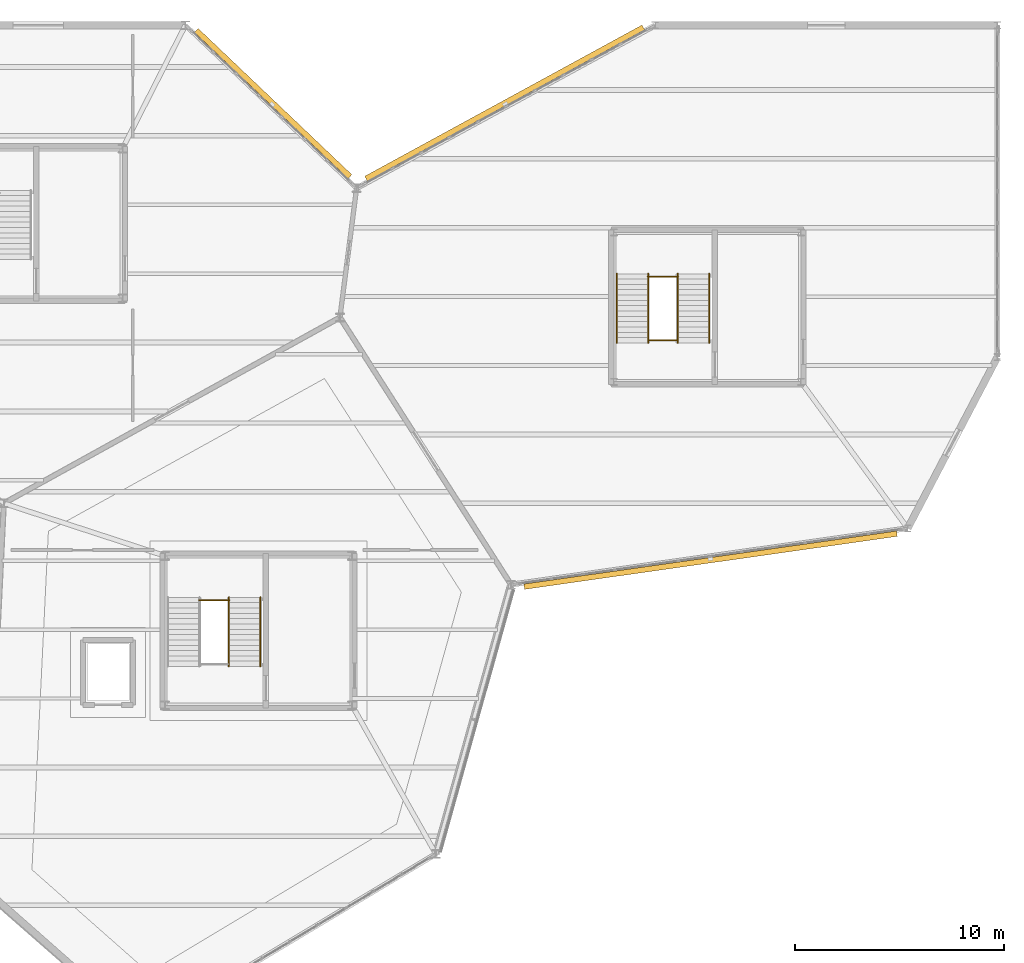
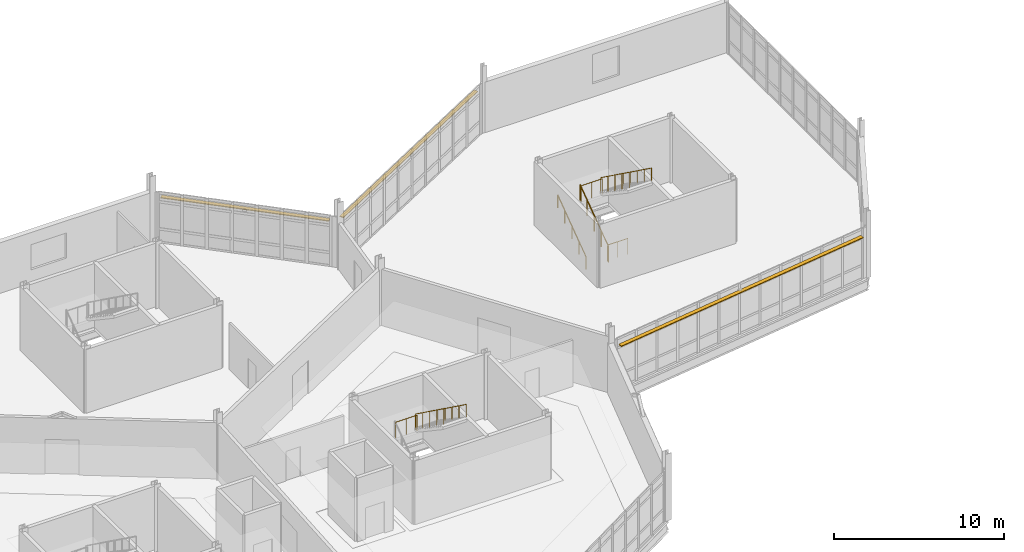
# One storey, part 134 of 134: 9 railings, 3 shading devices.
"""IFC4 building model written with IfcOpenShell, lengths in metres."""

import ifcopenshell
import ifcopenshell.guid

model = None  # the IFC model being written
_history = None  # IfcOwnerHistory: only IFC2X3 demands one
_inside = {}  # id of a spatial element -> (the spatial element, [elements in it])
_under = {}  # id of a project, library or spatial element -> (it, [spatial elements below it])
_declared = {}  # id of a project -> (the project, [libraries it declares])
_typed = {}  # id of a type object -> (the type object, [elements of that type])
_made_of = {}  # id of a material, layer set ... -> (it, [elements and type objects made of it])


def new_model(schema):
    """Start an empty IFC model of exactly this schema.

    Asked for "IFC4X3", IfcOpenShell would pick the latest addendum, in which some entities
    have other attributes; the version numbers below select the first issue.
    IFC2X3 requires an IfcOwnerHistory on every rooted entity: one is made here for all.
    """
    global model, _history
    if schema == "IFC4X3":
        model = ifcopenshell.file(schema_version=(4, 3, 0, 0))
    else:
        model = ifcopenshell.file(schema=schema)
    _inside.clear()
    _under.clear()
    _declared.clear()
    _typed.clear()
    _made_of.clear()
    _history = None
    if model.schema == "IFC2X3":
        org = make("IfcOrganization", Name="unknown")
        user = make(
            "IfcPersonAndOrganization",
            ThePerson=make("IfcPerson", FamilyName="unknown"),
            TheOrganization=org,
        )
        app = make(
            "IfcApplication",
            ApplicationDeveloper=org,
            Version="unknown",
            ApplicationFullName="unknown",
            ApplicationIdentifier="unknown",
        )
        _history = make(
            "IfcOwnerHistory",
            OwningUser=user,
            OwningApplication=app,
            ChangeAction="ADDED",
            CreationDate=0,
        )
    return model


def make(cls, **values):
    """One entity of the class cls with the attributes given. An attribute that is None is left unset."""
    return model.create_entity(
        cls, **{name: value for name, value in values.items() if value is not None}
    )


def rooted(cls, **values):
    """An entity with a GlobalId (a new one), such as an element, a storey or a relation."""
    return make(cls, GlobalId=ifcopenshell.guid.new(), OwnerHistory=_history, **values)


def si_unit(unit_type, name, prefix=None):
    """IfcSIUnit, for example si_unit("LENGTHUNIT", "METRE", prefix="MILLI")."""
    return make("IfcSIUnit", UnitType=unit_type, Prefix=prefix, Name=name)


def assignment(units):
    """IfcUnitAssignment: the units of a project."""
    return None if units is None else make("IfcUnitAssignment", Units=units)


def point(xyz):
    """IfcCartesianPoint."""
    return None if xyz is None else make("IfcCartesianPoint", Coordinates=xyz)


def direction(xyz):
    """IfcDirection."""
    return None if xyz is None else make("IfcDirection", DirectionRatios=xyz)


def frame(location, z_axis=None, x_axis=None):
    """IfcAxis2Placement3D, a coordinate frame: its origin and axes. An axis left out is left unset."""
    return make(
        "IfcAxis2Placement3D",
        Location=point(location),
        Axis=direction(z_axis),
        RefDirection=direction(x_axis),
    )


def frame_2d(location, x_axis=None):
    """IfcAxis2Placement2D, a coordinate frame in the plane: its origin and x axis."""
    return make(
        "IfcAxis2Placement2D", Location=point(location), RefDirection=direction(x_axis)
    )


def origin():
    """The frame at (0, 0, 0) with its axes left unset."""
    return frame((0.0, 0.0, 0.0))


def origin_2d():
    """The frame at (0, 0) in the plane with its x axis left unset."""
    return frame_2d((0.0, 0.0))


def place(relative_to, where):
    """IfcLocalPlacement: puts the frame where relative to a parent placement (None: the world)."""
    return make(
        "IfcLocalPlacement", PlacementRelTo=relative_to, RelativePlacement=where
    )


def context(
    kind, dimensions, precision=None, world=None, true_north=None, identifier=None
):
    """IfcGeometricRepresentationContext, for example the 3D "Model" context."""
    return make(
        "IfcGeometricRepresentationContext",
        ContextIdentifier=identifier,
        ContextType=kind,
        CoordinateSpaceDimension=dimensions,
        Precision=precision,
        WorldCoordinateSystem=world,
        TrueNorth=true_north,
    )


def subcontext(parent, identifier, kind, view, scale=None):
    """IfcGeometricRepresentationSubContext, for example "Body" below "Model"."""
    return make(
        "IfcGeometricRepresentationSubContext",
        ContextIdentifier=identifier,
        ContextType=kind,
        ParentContext=parent,
        TargetScale=scale,
        TargetView=view,
    )


def project(units=None, contexts=None):
    """IfcProject with its units and contexts."""
    return rooted(
        "IfcProject",
        Name="project",
        RepresentationContexts=contexts,
        UnitsInContext=assignment(units),
    )


def spatial(cls, under=None, at=None, **own):
    """A site, building, storey or space (cls), placed at a placement, below another one or the project."""
    s = rooted(cls, ObjectPlacement=at, **own)
    if under is not None:
        _under.setdefault(under.id(), (under, []))[1].append(s)
    return s


def profile(cls, at=None, kind="AREA", **sizes):
    """A parametric profile (cls). Its sizes go by their IFC names, for example OverallWidth=200.0."""
    return make(cls, ProfileType=kind, Position=at, **sizes)


def rectangle(**sizes):
    """IfcRectangleProfileDef."""
    return profile("IfcRectangleProfileDef", **sizes)


def circle(**sizes):
    """IfcCircleProfileDef."""
    return profile("IfcCircleProfileDef", **sizes)


def extrude(swept, where, along, depth):
    """IfcExtrudedAreaSolid: the profile swept, set in the frame where, extruded along a direction by depth."""
    return make(
        "IfcExtrudedAreaSolid",
        SweptArea=swept,
        Position=where,
        ExtrudedDirection=direction(along),
        Depth=depth,
    )


def shape(context_of_items, identifier, shape_type, items):
    """IfcShapeRepresentation: the items that make up one representation, for example the "Body"."""
    return make(
        "IfcShapeRepresentation",
        ContextOfItems=context_of_items,
        RepresentationIdentifier=identifier,
        RepresentationType=shape_type,
        Items=items,
    )


def material(Name=None, Category=None):
    """IfcMaterial."""
    return make("IfcMaterial", Name=Name, Category=Category)


def layer(
    of_material, thickness, ventilated=None, Name=None, Category=None, Priority=None
):
    """IfcMaterialLayer: one layer of a wall or slab, of a material (None: an air gap)."""
    return make(
        "IfcMaterialLayer",
        Material=of_material,
        LayerThickness=thickness,
        IsVentilated=ventilated,
        Name=Name,
        Category=Category,
        Priority=Priority,
    )


def layer_set(layers, Name=None):
    """IfcMaterialLayerSet."""
    return make("IfcMaterialLayerSet", MaterialLayers=layers, LayerSetName=Name)


def made_of(thing, what):
    """Note that an element or type object is made of a material, layer set ...; save() writes the relation."""
    if what is not None:
        _made_of.setdefault(what.id(), (what, []))[1].append(thing)
    return thing


def type_object(cls, material=None, **own):
    """A type object (cls), such as IfcWallType, which elements share."""
    return made_of(rooted(cls, **own), material)


def element(
    cls,
    number,
    at=None,
    inside=None,
    cuts=None,
    type_object=None,
    material=None,
    context=None,
    identifier="Body",
    shape_type=None,
    held_by="IfcProductDefinitionShape",
    body=None,
    shapes=None,
    **own,
):
    """One element of the class cls, such as IfcWall. Its Tag is "e" and its number.

    at: its placement. inside: the storey or other place that contains it. cuts: it is an
    opening in that element (IfcRelVoidsElement). A single representation is given by context,
    identifier, shape_type and body (its items); several are given by shapes. held_by: the class
    of the entity that holds the representations. save() writes the other relations.
    """
    e = rooted(cls, Tag="e%d" % number, ObjectPlacement=at, **own)
    if body is not None:
        shapes = [shape(context, identifier, shape_type, body)]
    if shapes is not None:
        e.Representation = make(held_by, Representations=shapes)
    if inside is not None:
        _inside.setdefault(inside.id(), (inside, []))[1].append(e)
    if cuts is not None:
        rooted(
            "IfcRelVoidsElement", RelatingBuildingElement=cuts, RelatedOpeningElement=e
        )
    if type_object is not None:
        _typed.setdefault(type_object.id(), (type_object, []))[1].append(e)
    return made_of(e, material)


def aggregate(whole, parts):
    """IfcRelAggregates: a whole, such as a stair, and the parts it consists of."""
    return rooted("IfcRelAggregates", RelatingObject=whole, RelatedObjects=parts)


def save(model, path):
    """Write the relations noted so far, then the file.

    IfcRelAggregates (storeys below a building ...), IfcRelContainedInSpatialStructure (elements
    in a storey), IfcRelDefinesByType, IfcRelAssociatesMaterial and IfcRelDeclares: one each for
    every whole, place, type object, material and project.
    """
    for whole, parts in _under.values():
        aggregate(whole, parts)
    for where, things in _inside.values():
        rooted(
            "IfcRelContainedInSpatialStructure",
            RelatedElements=things,
            RelatingStructure=where,
        )
    for kind, things in _typed.values():
        rooted("IfcRelDefinesByType", RelatedObjects=things, RelatingType=kind)
    for what, things in _made_of.values():
        rooted("IfcRelAssociatesMaterial", RelatedObjects=things, RelatingMaterial=what)
    for by, libraries in _declared.values():
        rooted("IfcRelDeclares", RelatingContext=by, RelatedDefinitions=libraries)
    model.write(path)


model = new_model("IFC4")

# Units and contexts
model_context = context("Model", 3, precision=1e-05, world=origin(), true_north=direction((0.0, 1.0)))
body_context = subcontext(model_context, "Body", "Model", "MODEL_VIEW")
ifc_project = project(units=[si_unit("LENGTHUNIT", "METRE"), si_unit("AREAUNIT", "SQUARE_METRE"), si_unit("VOLUMEUNIT", "CUBIC_METRE"), si_unit("PLANEANGLEUNIT", "RADIAN"), si_unit("MASSUNIT", "GRAM", prefix="KILO")], contexts=[model_context])

# Site, building, storey
site_placement = place(None, origin())
site = spatial("IfcSite", under=ifc_project, at=site_placement, CompositionType="ELEMENT")
building_placement = place(site_placement, origin())
building = spatial("IfcBuilding", under=site, at=building_placement, Name="Tameran Prism Museum", CompositionType="ELEMENT")
storey_placement = place(building_placement, frame((0.0, 0.0, 5.39990234375)))
storey = spatial("IfcBuildingStorey", under=building, at=storey_placement, Name="L01", CompositionType="ELEMENT", Elevation=5.39990234375)

# Railings
ifc_material_1 = material(Name="Marine Stainless Steel 316", Category="steel")
ifc_layer_1 = layer(ifc_material_1, 0.054931640625)
ifc_layer_set_1 = layer_set([ifc_layer_1])
railing_type_1 = type_object("IfcRailingType", Name="RL-GR-1120", PredefinedType="GUARDRAIL", material=ifc_layer_set_1)
railing_1_placement = place(storey_placement, frame((129.580078125, 84.594970703125, 2.400146484375)))
element("IfcRailing", 1, at=railing_1_placement, inside=storey, type_object=railing_type_1, Name="Stair Well Guardrail GR-S038", PredefinedType="GUARDRAIL", context=body_context, shape_type="SweptSolid", body=[
    extrude(circle(Radius=0.02392578125, at=origin_2d()), frame((0.0, 0.0, 1.1259765625), z_axis=(0.0, -0.810008566192, 0.586418044312), x_axis=(1.0, 0.0, 0.0)), (0.0, 0.0, 1.0), 4.092529296875),
    extrude(circle(Radius=0.02099609375, at=origin_2d()), origin(), (0.0, 0.0, 1.0), 1.101806640625),
    extrude(circle(Radius=0.02099609375, at=origin_2d()), frame((0.0, -0.82861328125, 0.60009765625)), (0.0, 0.0, 1.0), 1.101806640625),
    extrude(circle(Radius=0.02099609375, at=origin_2d()), frame((0.0, -1.657470703125, 1.199951171875)), (0.0, 0.0, 1.0), 1.101806640625),
    extrude(circle(Radius=0.02099609375, at=origin_2d()), frame((0.0, -2.486328125, 1.7998046875)), (0.0, 0.0, 1.0), 1.101806640625),
    extrude(circle(Radius=0.02099609375, at=origin_2d()), frame((0.0, -3.31494140625, 2.39990234375)), (0.0, 0.0, 1.0), 1.101806640625),
])
railing_2_placement = place(storey_placement, frame((128.14990234375, 84.455078125, 2.400146484375)))
element("IfcRailing", 2, at=railing_2_placement, inside=storey, type_object=railing_type_1, Name="Landing Well Guardrail GR-S039", PredefinedType="GUARDRAIL", context=body_context, shape_type="SweptSolid", body=[
    extrude(circle(Radius=0.02392578125, at=origin_2d()), frame((0.0, 0.0, 1.1259765625), z_axis=(1.0, 0.0, 0.0), x_axis=(0.0, 1.0, 0.0)), (0.0, 0.0, 1.0), 1.4501953125),
    extrude(circle(Radius=0.02099609375, at=origin_2d()), origin(), (0.0, 0.0, 1.0), 1.101806640625),
    extrude(circle(Radius=0.02099609375, at=origin_2d()), frame((0.72509765625, 0.0, 0.0)), (0.0, 0.0, 1.0), 1.101806640625),
    extrude(circle(Radius=0.02099609375, at=origin_2d()), frame((1.4501953125, 0.0, 0.0)), (0.0, 0.0, 1.0), 1.101806640625),
])
railing_3_placement = place(storey_placement, frame((149.68994140625, 96.89990234375, 0.0)))
element("IfcRailing", 3, at=railing_3_placement, inside=storey, type_object=railing_type_1, Name="Stair Well Slot Guard GR-S180", PredefinedType="GUARDRAIL", context=body_context, shape_type="SweptSolid", body=[
    extrude(circle(Radius=0.02392578125, at=origin_2d()), frame((0.0, 0.0, 1.1259765625), z_axis=(1.0, 0.0, 0.0), x_axis=(0.0, 1.0, 0.0)), (0.0, 0.0, 1.0), 1.3701171875),
    extrude(circle(Radius=0.02099609375, at=origin_2d()), origin(), (0.0, 0.0, 1.0), 1.101806640625),
    extrude(circle(Radius=0.02099609375, at=origin_2d()), frame((0.68505859375, 0.0, 0.0)), (0.0, 0.0, 1.0), 1.101806640625),
    extrude(circle(Radius=0.02099609375, at=origin_2d()), frame((1.3701171875, 0.0, 0.0)), (0.0, 0.0, 1.0), 1.101806640625),
])
railing_4_placement = place(storey_placement, frame((149.669921875, 96.780029296875, 0.0)))
element("IfcRailing", 4, at=railing_4_placement, inside=storey, type_object=railing_type_1, Name="Stair Well Guardrail GR-S181", PredefinedType="GUARDRAIL", context=body_context, shape_type="SweptSolid", body=[
    extrude(circle(Radius=0.02392578125, at=origin_2d()), frame((0.0, 0.0, 1.1259765625), z_axis=(0.0, 0.809980229442, 0.586457183359), x_axis=(-1.0, 0.0, 0.0)), (0.0, 0.0, 1.0), 4.092529296875),
    extrude(circle(Radius=0.02099609375, at=origin_2d()), origin(), (0.0, 0.0, 1.0), 1.101806640625),
    extrude(circle(Radius=0.02099609375, at=origin_2d()), frame((0.0, 0.82861328125, 0.60009765625)), (0.0, 0.0, 1.0), 1.101806640625),
    extrude(circle(Radius=0.02099609375, at=origin_2d()), frame((0.0, 1.657470703125, 1.2001953125)), (0.0, 0.0, 1.0), 1.101806640625),
    extrude(circle(Radius=0.02099609375, at=origin_2d()), frame((0.0, 2.486328125, 1.800048828125)), (0.0, 0.0, 1.0), 1.101806640625),
    extrude(circle(Radius=0.02099609375, at=origin_2d()), frame((0.0, 3.31494140625, 2.400146484375)), (0.0, 0.0, 1.0), 1.101806640625),
])
railing_5_placement = place(storey_placement, frame((151.080078125, 100.094970703125, 2.400146484375)))
element("IfcRailing", 5, at=railing_5_placement, inside=storey, type_object=railing_type_1, Name="Stair Well Guardrail GR-S182", PredefinedType="GUARDRAIL", context=body_context, shape_type="SweptSolid", body=[
    extrude(circle(Radius=0.02392578125, at=origin_2d()), frame((0.0, 0.0, 1.1259765625), z_axis=(0.0, -0.810008566192, 0.586418044312), x_axis=(1.0, 0.0, 0.0)), (0.0, 0.0, 1.0), 4.092529296875),
    extrude(circle(Radius=0.02099609375, at=origin_2d()), origin(), (0.0, 0.0, 1.0), 1.101806640625),
    extrude(circle(Radius=0.02099609375, at=origin_2d()), frame((0.0, -0.82861328125, 0.60009765625)), (0.0, 0.0, 1.0), 1.101806640625),
    extrude(circle(Radius=0.02099609375, at=origin_2d()), frame((0.0, -1.657470703125, 1.199951171875)), (0.0, 0.0, 1.0), 1.101806640625),
    extrude(circle(Radius=0.02099609375, at=origin_2d()), frame((0.0, -2.486328125, 1.7998046875)), (0.0, 0.0, 1.0), 1.101806640625),
    extrude(circle(Radius=0.02099609375, at=origin_2d()), frame((0.0, -3.31494140625, 2.39990234375)), (0.0, 0.0, 1.0), 1.101806640625),
])
railing_6_placement = place(storey_placement, frame((149.64990234375, 99.955078125, 2.400146484375)))
element("IfcRailing", 6, at=railing_6_placement, inside=storey, type_object=railing_type_1, Name="Landing Well Guardrail GR-S183", PredefinedType="GUARDRAIL", context=body_context, shape_type="SweptSolid", body=[
    extrude(circle(Radius=0.02392578125, at=origin_2d()), frame((0.0, 0.0, 1.1259765625), z_axis=(1.0, 0.0, 0.0), x_axis=(0.0, 1.0, 0.0)), (0.0, 0.0, 1.0), 1.4501953125),
    extrude(circle(Radius=0.02099609375, at=origin_2d()), origin(), (0.0, 0.0, 1.0), 1.101806640625),
    extrude(circle(Radius=0.02099609375, at=origin_2d()), frame((0.72509765625, 0.0, 0.0)), (0.0, 0.0, 1.0), 1.101806640625),
    extrude(circle(Radius=0.02099609375, at=origin_2d()), frame((1.4501953125, 0.0, 0.0)), (0.0, 0.0, 1.0), 1.101806640625),
])
ifc_material_2 = material(Name="Brushed Stainless Steel 316", Category="steel")
ifc_layer_2 = layer(ifc_material_2, 0.048095703125)
ifc_layer_set_2 = layer_set([ifc_layer_2])
railing_type_2 = type_object("IfcRailingType", Name="RL-HR-920", PredefinedType="HANDRAIL", material=ifc_layer_set_2)
railing_7_placement = place(storey_placement, frame((131.090087890625, 84.594970703125, 2.400146484375)))
element("IfcRailing", 7, at=railing_7_placement, inside=storey, type_object=railing_type_2, Name="Stair Flight Handrail HR-020", PredefinedType="HANDRAIL", context=body_context, shape_type="SweptSolid", body=[
    extrude(circle(Radius=0.02392578125, at=origin_2d()), frame((0.0, 0.0, 0.89599609375), z_axis=(0.0, -0.810008566192, 0.586418044312), x_axis=(1.0, 0.0, 0.0)), (0.0, 0.0, 1.0), 4.092529296875),
    extrude(circle(Radius=0.02099609375, at=origin_2d()), origin(), (0.0, 0.0, 1.0), 0.871826171875),
    extrude(circle(Radius=0.02099609375, at=origin_2d()), frame((0.0, -0.82861328125, 0.60009765625)), (0.0, 0.0, 1.0), 0.871826171875),
    extrude(circle(Radius=0.02099609375, at=origin_2d()), frame((0.0, -1.657470703125, 1.199951171875)), (0.0, 0.0, 1.0), 0.871826171875),
    extrude(circle(Radius=0.02099609375, at=origin_2d()), frame((0.0, -2.486328125, 1.7998046875)), (0.0, 0.0, 1.0), 0.871826171875),
    extrude(circle(Radius=0.02099609375, at=origin_2d()), frame((0.0, -3.31494140625, 2.39990234375)), (0.0, 0.0, 1.0), 0.871826171875),
])
railing_8_placement = place(storey_placement, frame((148.159912109375, 96.780029296875, 0.0)))
element("IfcRailing", 8, at=railing_8_placement, inside=storey, type_object=railing_type_2, Name="Stair Flight Handrail HR-091", PredefinedType="HANDRAIL", context=body_context, shape_type="SweptSolid", body=[
    extrude(circle(Radius=0.02392578125, at=origin_2d()), frame((0.0, 0.0, 0.89599609375), z_axis=(0.0, 0.809980229442, 0.586457183359), x_axis=(-1.0, 0.0, 0.0)), (0.0, 0.0, 1.0), 4.092529296875),
    extrude(circle(Radius=0.02099609375, at=origin_2d()), origin(), (0.0, 0.0, 1.0), 0.871826171875),
    extrude(circle(Radius=0.02099609375, at=origin_2d()), frame((0.0, 0.82861328125, 0.60009765625)), (0.0, 0.0, 1.0), 0.871826171875),
    extrude(circle(Radius=0.02099609375, at=origin_2d()), frame((0.0, 1.657470703125, 1.2001953125)), (0.0, 0.0, 1.0), 0.871826171875),
    extrude(circle(Radius=0.02099609375, at=origin_2d()), frame((0.0, 2.486328125, 1.800048828125)), (0.0, 0.0, 1.0), 0.871826171875),
    extrude(circle(Radius=0.02099609375, at=origin_2d()), frame((0.0, 3.31494140625, 2.400146484375)), (0.0, 0.0, 1.0), 0.871826171875),
])
railing_9_placement = place(storey_placement, frame((152.590087890625, 100.094970703125, 2.400146484375)))
element("IfcRailing", 9, at=railing_9_placement, inside=storey, type_object=railing_type_2, Name="Stair Flight Handrail HR-092", PredefinedType="HANDRAIL", context=body_context, shape_type="SweptSolid", body=[
    extrude(circle(Radius=0.02392578125, at=origin_2d()), frame((0.0, 0.0, 0.89599609375), z_axis=(0.0, -0.810008566192, 0.586418044312), x_axis=(1.0, 0.0, 0.0)), (0.0, 0.0, 1.0), 4.092529296875),
    extrude(circle(Radius=0.02099609375, at=origin_2d()), origin(), (0.0, 0.0, 1.0), 0.871826171875),
    extrude(circle(Radius=0.02099609375, at=origin_2d()), frame((0.0, -0.82861328125, 0.60009765625)), (0.0, 0.0, 1.0), 0.871826171875),
    extrude(circle(Radius=0.02099609375, at=origin_2d()), frame((0.0, -1.657470703125, 1.199951171875)), (0.0, 0.0, 1.0), 0.871826171875),
    extrude(circle(Radius=0.02099609375, at=origin_2d()), frame((0.0, -2.486328125, 1.7998046875)), (0.0, 0.0, 1.0), 0.871826171875),
    extrude(circle(Radius=0.02099609375, at=origin_2d()), frame((0.0, -3.31494140625, 2.39990234375)), (0.0, 0.0, 1.0), 0.871826171875),
])

# Shading devices
ifc_material_3 = material(Name="Anodised Aluminium Alloy 6063-T6", Category="aluminium")
ifc_layer_3 = layer(ifc_material_3, 0.044921875)
ifc_layer_set_3 = layer_set([ifc_layer_3])
shading_device_type_1 = type_object("IfcShadingDeviceType", Name="SH-JAL-240", PredefinedType="JALOUSIE", material=ifc_layer_set_3)
shading_device_1_placement = place(storey_placement, frame((152.655029296875, 86.3759765625, 3.14013671875), z_axis=(0.0, 0.0, 1.0), x_axis=(-0.990048234542, -0.140728438067, 0.0)))
element("IfcShadingDevice", 10, at=shading_device_1_placement, inside=storey, type_object=shading_device_type_1, Name="Monsoon Storm Louvre SLV-020", PredefinedType="JALOUSIE", context=body_context, shape_type="SweptSolid", body=[
    extrude(rectangle(XDim=18.031005859375, YDim=0.260009765625, at=origin_2d()), origin(), (0.0, 0.0, 1.0), 0.06005859375),
])
ifc_material_4 = material(Name="Anodised Aluminium Alloy 6063-T6", Category="aluminium")
ifc_layer_4 = layer(ifc_material_4, 0.050048828125)
ifc_layer_set_4 = layer_set([ifc_layer_4])
shading_device_type_2 = type_object("IfcShadingDeviceType", Name="SH-LOUV-300", PredefinedType="SHUTTER", material=ifc_layer_set_4)
shading_device_2_placement = place(storey_placement, frame((131.701904296875, 108.25, 3.14013671875), z_axis=(0.0, 0.0, 1.0), x_axis=(0.724532846102, -0.689240273721, 0.0)))
element("IfcShadingDevice", 11, at=shading_device_2_placement, inside=storey, type_object=shading_device_type_2, Name="Monsoon Storm Louvre SLV-019", PredefinedType="SHUTTER", context=body_context, shape_type="SweptSolid", body=[
    extrude(rectangle(XDim=10.157958984375, YDim=0.260009765625, at=origin_2d()), origin(), (0.0, 0.0, 1.0), 0.06005859375),
])
shading_device_3_placement = place(storey_placement, frame((142.791015625, 108.27197265625, 3.14013671875), z_axis=(0.0, 0.0, 1.0), x_axis=(0.877899414566, 0.478845087586, 0.0)))
element("IfcShadingDevice", 12, at=shading_device_3_placement, inside=storey, type_object=shading_device_type_2, Name="Monsoon Storm Louvre SLV-021", PredefinedType="SHUTTER", context=body_context, shape_type="SweptSolid", body=[
    extrude(rectangle(XDim=15.12890625, YDim=0.260009765625, at=origin_2d()), origin(), (0.0, 0.0, 1.0), 0.06005859375),
])

save(model, "model.ifc")
